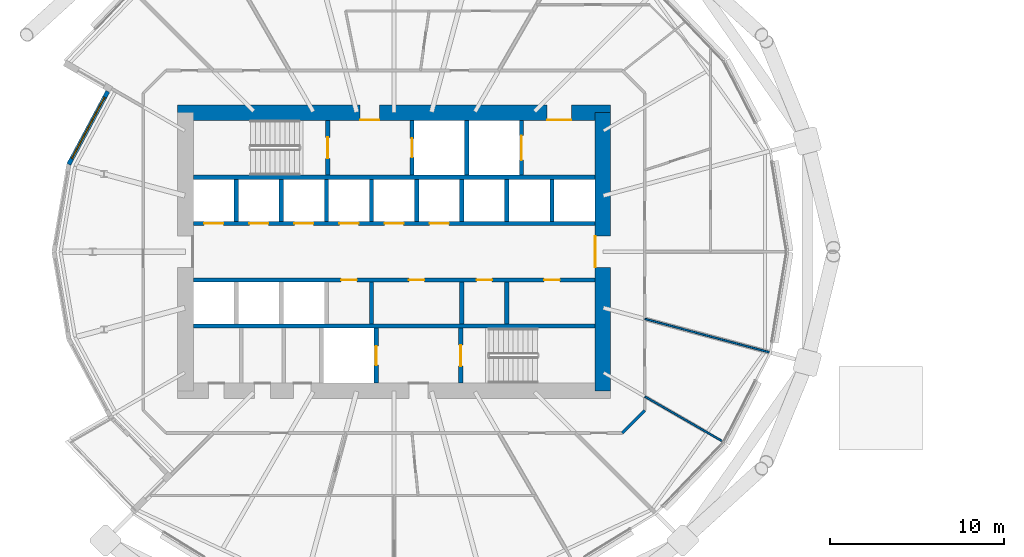
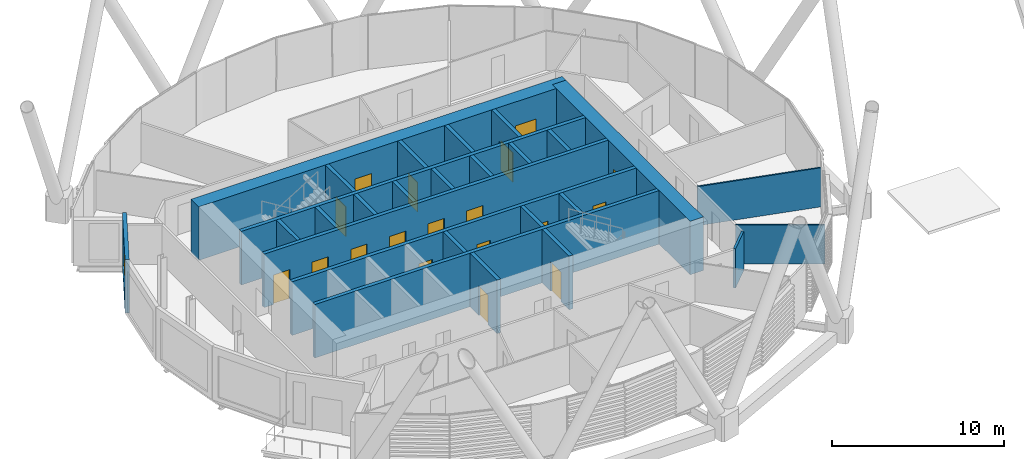
# One storey, part 23 of 34: 27 walls, 18 doors, 1 window, 19 openings.
"""IFC4 building model written with IfcOpenShell, lengths in metres."""

import ifcopenshell
import ifcopenshell.guid

model = None  # the IFC model being written
_history = None  # IfcOwnerHistory: only IFC2X3 demands one
_inside = {}  # id of a spatial element -> (the spatial element, [elements in it])
_under = {}  # id of a project, library or spatial element -> (it, [spatial elements below it])
_declared = {}  # id of a project -> (the project, [libraries it declares])
_typed = {}  # id of a type object -> (the type object, [elements of that type])
_made_of = {}  # id of a material, layer set ... -> (it, [elements and type objects made of it])


def new_model(schema):
    """Start an empty IFC model of exactly this schema.

    Asked for "IFC4X3", IfcOpenShell would pick the latest addendum, in which some entities
    have other attributes; the version numbers below select the first issue.
    IFC2X3 requires an IfcOwnerHistory on every rooted entity: one is made here for all.
    """
    global model, _history
    if schema == "IFC4X3":
        model = ifcopenshell.file(schema_version=(4, 3, 0, 0))
    else:
        model = ifcopenshell.file(schema=schema)
    _inside.clear()
    _under.clear()
    _declared.clear()
    _typed.clear()
    _made_of.clear()
    _history = None
    if model.schema == "IFC2X3":
        org = make("IfcOrganization", Name="unknown")
        user = make(
            "IfcPersonAndOrganization",
            ThePerson=make("IfcPerson", FamilyName="unknown"),
            TheOrganization=org,
        )
        app = make(
            "IfcApplication",
            ApplicationDeveloper=org,
            Version="unknown",
            ApplicationFullName="unknown",
            ApplicationIdentifier="unknown",
        )
        _history = make(
            "IfcOwnerHistory",
            OwningUser=user,
            OwningApplication=app,
            ChangeAction="ADDED",
            CreationDate=0,
        )
    return model


def make(cls, **values):
    """One entity of the class cls with the attributes given. An attribute that is None is left unset."""
    return model.create_entity(
        cls, **{name: value for name, value in values.items() if value is not None}
    )


def rooted(cls, **values):
    """An entity with a GlobalId (a new one), such as an element, a storey or a relation."""
    return make(cls, GlobalId=ifcopenshell.guid.new(), OwnerHistory=_history, **values)


def si_unit(unit_type, name, prefix=None):
    """IfcSIUnit, for example si_unit("LENGTHUNIT", "METRE", prefix="MILLI")."""
    return make("IfcSIUnit", UnitType=unit_type, Prefix=prefix, Name=name)


def assignment(units):
    """IfcUnitAssignment: the units of a project."""
    return None if units is None else make("IfcUnitAssignment", Units=units)


def point(xyz):
    """IfcCartesianPoint."""
    return None if xyz is None else make("IfcCartesianPoint", Coordinates=xyz)


def direction(xyz):
    """IfcDirection."""
    return None if xyz is None else make("IfcDirection", DirectionRatios=xyz)


def frame(location, z_axis=None, x_axis=None):
    """IfcAxis2Placement3D, a coordinate frame: its origin and axes. An axis left out is left unset."""
    return make(
        "IfcAxis2Placement3D",
        Location=point(location),
        Axis=direction(z_axis),
        RefDirection=direction(x_axis),
    )


def frame_2d(location, x_axis=None):
    """IfcAxis2Placement2D, a coordinate frame in the plane: its origin and x axis."""
    return make(
        "IfcAxis2Placement2D", Location=point(location), RefDirection=direction(x_axis)
    )


def origin():
    """The frame at (0, 0, 0) with its axes left unset."""
    return frame((0.0, 0.0, 0.0))


def place(relative_to, where):
    """IfcLocalPlacement: puts the frame where relative to a parent placement (None: the world)."""
    return make(
        "IfcLocalPlacement", PlacementRelTo=relative_to, RelativePlacement=where
    )


def context(
    kind, dimensions, precision=None, world=None, true_north=None, identifier=None
):
    """IfcGeometricRepresentationContext, for example the 3D "Model" context."""
    return make(
        "IfcGeometricRepresentationContext",
        ContextIdentifier=identifier,
        ContextType=kind,
        CoordinateSpaceDimension=dimensions,
        Precision=precision,
        WorldCoordinateSystem=world,
        TrueNorth=true_north,
    )


def subcontext(parent, identifier, kind, view, scale=None):
    """IfcGeometricRepresentationSubContext, for example "Body" below "Model"."""
    return make(
        "IfcGeometricRepresentationSubContext",
        ContextIdentifier=identifier,
        ContextType=kind,
        ParentContext=parent,
        TargetScale=scale,
        TargetView=view,
    )


def project(units=None, contexts=None):
    """IfcProject with its units and contexts."""
    return rooted(
        "IfcProject",
        Name="project",
        RepresentationContexts=contexts,
        UnitsInContext=assignment(units),
    )


def spatial(cls, under=None, at=None, **own):
    """A site, building, storey or space (cls), placed at a placement, below another one or the project."""
    s = rooted(cls, ObjectPlacement=at, **own)
    if under is not None:
        _under.setdefault(under.id(), (under, []))[1].append(s)
    return s


def profile(cls, at=None, kind="AREA", **sizes):
    """A parametric profile (cls). Its sizes go by their IFC names, for example OverallWidth=200.0."""
    return make(cls, ProfileType=kind, Position=at, **sizes)


def rectangle(**sizes):
    """IfcRectangleProfileDef."""
    return profile("IfcRectangleProfileDef", **sizes)


def extrude(swept, where, along, depth):
    """IfcExtrudedAreaSolid: the profile swept, set in the frame where, extruded along a direction by depth."""
    return make(
        "IfcExtrudedAreaSolid",
        SweptArea=swept,
        Position=where,
        ExtrudedDirection=direction(along),
        Depth=depth,
    )


def shape(context_of_items, identifier, shape_type, items):
    """IfcShapeRepresentation: the items that make up one representation, for example the "Body"."""
    return make(
        "IfcShapeRepresentation",
        ContextOfItems=context_of_items,
        RepresentationIdentifier=identifier,
        RepresentationType=shape_type,
        Items=items,
    )


def material(Name=None, Category=None):
    """IfcMaterial."""
    return make("IfcMaterial", Name=Name, Category=Category)


def layer(
    of_material, thickness, ventilated=None, Name=None, Category=None, Priority=None
):
    """IfcMaterialLayer: one layer of a wall or slab, of a material (None: an air gap)."""
    return make(
        "IfcMaterialLayer",
        Material=of_material,
        LayerThickness=thickness,
        IsVentilated=ventilated,
        Name=Name,
        Category=Category,
        Priority=Priority,
    )


def layer_set(layers, Name=None):
    """IfcMaterialLayerSet."""
    return make("IfcMaterialLayerSet", MaterialLayers=layers, LayerSetName=Name)


def made_of(thing, what):
    """Note that an element or type object is made of a material, layer set ...; save() writes the relation."""
    if what is not None:
        _made_of.setdefault(what.id(), (what, []))[1].append(thing)
    return thing


def type_object(cls, material=None, **own):
    """A type object (cls), such as IfcWallType, which elements share."""
    return made_of(rooted(cls, **own), material)


def element(
    cls,
    number,
    at=None,
    inside=None,
    cuts=None,
    type_object=None,
    material=None,
    context=None,
    identifier="Body",
    shape_type=None,
    held_by="IfcProductDefinitionShape",
    body=None,
    shapes=None,
    **own,
):
    """One element of the class cls, such as IfcWall. Its Tag is "e" and its number.

    at: its placement. inside: the storey or other place that contains it. cuts: it is an
    opening in that element (IfcRelVoidsElement). A single representation is given by context,
    identifier, shape_type and body (its items); several are given by shapes. held_by: the class
    of the entity that holds the representations. save() writes the other relations.
    """
    e = rooted(cls, Tag="e%d" % number, ObjectPlacement=at, **own)
    if body is not None:
        shapes = [shape(context, identifier, shape_type, body)]
    if shapes is not None:
        e.Representation = make(held_by, Representations=shapes)
    if inside is not None:
        _inside.setdefault(inside.id(), (inside, []))[1].append(e)
    if cuts is not None:
        rooted(
            "IfcRelVoidsElement", RelatingBuildingElement=cuts, RelatedOpeningElement=e
        )
    if type_object is not None:
        _typed.setdefault(type_object.id(), (type_object, []))[1].append(e)
    return made_of(e, material)


def fill(opening, filler):
    """IfcRelFillsElement: the door or window that sits in an opening."""
    return rooted(
        "IfcRelFillsElement",
        RelatingOpeningElement=opening,
        RelatedBuildingElement=filler,
    )


def aggregate(whole, parts):
    """IfcRelAggregates: a whole, such as a stair, and the parts it consists of."""
    return rooted("IfcRelAggregates", RelatingObject=whole, RelatedObjects=parts)


def save(model, path):
    """Write the relations noted so far, then the file.

    IfcRelAggregates (storeys below a building ...), IfcRelContainedInSpatialStructure (elements
    in a storey), IfcRelDefinesByType, IfcRelAssociatesMaterial and IfcRelDeclares: one each for
    every whole, place, type object, material and project.
    """
    for whole, parts in _under.values():
        aggregate(whole, parts)
    for where, things in _inside.values():
        rooted(
            "IfcRelContainedInSpatialStructure",
            RelatedElements=things,
            RelatingStructure=where,
        )
    for kind, things in _typed.values():
        rooted("IfcRelDefinesByType", RelatedObjects=things, RelatingType=kind)
    for what, things in _made_of.values():
        rooted("IfcRelAssociatesMaterial", RelatedObjects=things, RelatingMaterial=what)
    for by, libraries in _declared.values():
        rooted("IfcRelDeclares", RelatingContext=by, RelatedDefinitions=libraries)
    model.write(path)


model = new_model("IFC4")

# Units and contexts
model_context = context("Model", 3, precision=1e-05, world=origin(), true_north=direction((0.0, 1.0)))
body_context = subcontext(model_context, "Body", "Model", "MODEL_VIEW")
ifc_project = project(units=[si_unit("LENGTHUNIT", "METRE"), si_unit("AREAUNIT", "SQUARE_METRE"), si_unit("VOLUMEUNIT", "CUBIC_METRE"), si_unit("PLANEANGLEUNIT", "RADIAN"), si_unit("MASSUNIT", "GRAM", prefix="KILO")], contexts=[model_context])

# Site, building, storey
site_placement = place(None, origin())
site = spatial("IfcSite", under=ifc_project, at=site_placement, CompositionType="ELEMENT")
building_placement = place(site_placement, origin())
building = spatial("IfcBuilding", under=site, at=building_placement, Name="Rimbun Link Towers", CompositionType="ELEMENT")
storey_placement = place(building_placement, frame((0.0, 0.0, 41.39990234375)))
storey = spatial("IfcBuildingStorey", under=building, at=storey_placement, Name="L09", CompositionType="ELEMENT", Elevation=41.39990234375)

# Wall, opening, window
ifc_material_1 = material(Name="Dark enamelled glass spandrel on insulated aluminium backpan", Category="aluminium")
ifc_layer_1 = layer(ifc_material_1, 0.25)
ifc_layer_set_1 = layer_set([ifc_layer_1], Name="CS dark enamelled spandrel wall 250")
wall_type_1 = type_object("IfcWallType", Name="CS dark enamelled spandrel wall 250", PredefinedType="STANDARD", material=ifc_layer_set_1)
wall_1_placement = place(storey_placement, frame((-50.4658203125, 5.023681640625, 0.0), z_axis=(0.0, 0.0, 1.0), x_axis=(0.471684712183, 0.881767277853, 0.0)))
wall_1 = element("IfcWall", 1, at=wall_1_placement, inside=storey, type_object=wall_type_1, Name="Crease spandrel wall", PredefinedType="STANDARD", context=body_context, shape_type="SweptSolid", body=[
    extrude(rectangle(XDim=4.759765625, YDim=0.25, at=frame_2d((2.3798828125, 0.0))), origin(), (0.0, 0.0, 1.0), 3.800048828125),
])
opening_1_placement = place(wall_1_placement, frame((0.3798828125, 0.0, 0.300048828125)))
opening_1 = element("IfcOpeningElement", 2, at=opening_1_placement, cuts=wall_1, Name="Opening WR40H295", PredefinedType="OPENING", context=body_context, shape_type="SweptSolid", body=[
    extrude(rectangle(XDim=4.0, YDim=2.949951171875, at=frame_2d((2.0, 1.47509765625))), frame((0.0, 0.135009765625, 0.0), z_axis=(0.0, -1.0, 0.0), x_axis=(1.0, 0.0, 0.0)), (0.0, 0.0, 1.0), 0.27001953125),
])
ifc_material_2 = material(Name="Aluminium framed fixed window, dark tinted low-e glass", Category="aluminium")
window_type = type_object("IfcWindowType", Name="WR ribbon window 4000X2950", PartitioningType="SINGLE_PANEL", PredefinedType="WINDOW", material=ifc_material_2)
window_placement = place(opening_1_placement, origin())
window = element("IfcWindow", 3, at=window_placement, inside=storey, type_object=window_type, Name="Crease ribbon window", OverallHeight=2.949951171875, OverallWidth=4.0, PartitioningType="SINGLE_PANEL", PredefinedType="WINDOW", context=body_context, shape_type="SweptSolid", body=[
    extrude(rectangle(XDim=4.0, YDim=2.949951171875, at=frame_2d((2.0, 1.47509765625))), frame((0.0, 0.030029296875, 0.0), z_axis=(0.0, -1.0, 0.0), x_axis=(1.0, 0.0, 0.0)), (0.0, 0.0, 1.0), 0.06005859375),
])
fill(opening_1, window)

# Wall, openings, doors
ifc_material_3 = material(Name="Concrete C60/75", Category="concrete")
ifc_layer_2 = layer(ifc_material_3, 0.89990234375)
ifc_layer_set_2 = layer_set([ifc_layer_2], Name="Core shear wall 900")
wall_type_2 = type_object("IfcWallType", Name="Core shear wall 900", PredefinedType="SHEAR", material=ifc_layer_set_2)
wall_2_placement = place(storey_placement, frame((-44.199951171875, 8.0, 0.0), z_axis=(0.0, 0.0, 1.0), x_axis=(1.0, 0.0, 0.0)))
wall_2 = element("IfcWall", 4, at=wall_2_placement, inside=storey, type_object=wall_type_2, Name="L09 T1 core wall N", PredefinedType="SHEAR", context=body_context, shape_type="SweptSolid", body=[
    extrude(rectangle(XDim=24.89990234375, YDim=0.89990234375, at=frame_2d((12.449951171875, 0.0))), origin(), (0.0, 0.0, 1.0), 3.800048828125),
])
opening_2_placement = place(wall_2_placement, frame((10.5, 0.0, 0.0)))
opening_2 = element("IfcOpeningElement", 5, at=opening_2_placement, cuts=wall_2, Name="Opening C1DCF01N", PredefinedType="OPENING", context=body_context, shape_type="SweptSolid", body=[
    extrude(rectangle(XDim=1.10009765625, YDim=2.10009765625, at=frame_2d((0.550048828125, 1.050048828125))), frame((0.0, 0.4599609375, 0.0), z_axis=(0.0, -1.0, 0.0), x_axis=(1.0, 0.0, 0.0)), (0.0, 0.0, 1.0), 0.919921875),
])
opening_3_placement = place(wall_2_placement, frame((21.25, 0.0, 0.0)))
opening_3 = element("IfcOpeningElement", 6, at=opening_3_placement, cuts=wall_2, Name="Opening C1DSL02N", PredefinedType="OPENING", context=body_context, shape_type="SweptSolid", body=[
    extrude(rectangle(XDim=1.39990234375, YDim=2.10009765625, at=frame_2d((0.699951171875, 1.050048828125))), frame((0.0, 0.4599609375, 0.0), z_axis=(0.0, -1.0, 0.0), x_axis=(1.0, 0.0, 0.0)), (0.0, 0.0, 1.0), 0.919921875),
])
ifc_material_4 = material(Name="Steel fire door set", Category="steel")
door_type_1 = type_object("IfcDoorType", Name="Core fire door single", OperationType="SINGLE_SWING_LEFT", PredefinedType="DOOR", material=ifc_material_4)
door_1_placement = place(opening_2_placement, origin())
door_1 = element("IfcDoor", 7, at=door_1_placement, inside=storey, type_object=door_type_1, Name="L09 T1 firefighting lobby n door", OperationType="SINGLE_SWING_LEFT", OverallHeight=2.10009765625, OverallWidth=1.10009765625, PredefinedType="DOOR", context=body_context, shape_type="SweptSolid", body=[
    extrude(rectangle(XDim=1.10009765625, YDim=2.10009765625, at=frame_2d((0.550048828125, 1.050048828125))), frame((0.0, -0.39990234375, 0.0), z_axis=(0.0, -1.0, 0.0), x_axis=(1.0, 0.0, 0.0)), (0.0, 0.0, 1.0), 0.050048828125),
])
fill(opening_2, door_1)
ifc_material_5 = material(Name="Steel fire door set", Category="steel")
door_type_2 = type_object("IfcDoorType", Name="Service lobby door double", OperationType="DOUBLE_DOOR_SINGLE_SWING", PredefinedType="DOOR", material=ifc_material_5)
door_2_placement = place(opening_3_placement, origin())
door_2 = element("IfcDoor", 8, at=door_2_placement, inside=storey, type_object=door_type_2, Name="L09 T1 service lobby door", OperationType="DOUBLE_DOOR_SINGLE_SWING", OverallHeight=2.10009765625, OverallWidth=1.39990234375, PredefinedType="DOOR", context=body_context, shape_type="SweptSolid", body=[
    extrude(rectangle(XDim=1.39990234375, YDim=2.10009765625, at=frame_2d((0.699951171875, 1.050048828125))), frame((0.0, -0.39990234375, 0.0), z_axis=(0.0, -1.0, 0.0), x_axis=(1.0, 0.0, 0.0)), (0.0, 0.0, 1.0), 0.050048828125),
])
fill(opening_3, door_2)

# Wall, opening, door
wall_3_placement = place(storey_placement, frame((-19.75, -8.0, 0.0), z_axis=(0.0, 0.0, 1.0), x_axis=(0.0, 1.0, 0.0)))
wall_3 = element("IfcWall", 9, at=wall_3_placement, inside=storey, type_object=wall_type_2, Name="L09 T1 core wall E", PredefinedType="SHEAR", context=body_context, shape_type="SweptSolid", body=[
    extrude(rectangle(XDim=16.0, YDim=0.89990234375, at=frame_2d((8.0, 0.0))), origin(), (0.0, 0.0, 1.0), 3.800048828125),
])
opening_4_placement = place(wall_3_placement, frame((7.10009765625, 0.0, 0.0)))
opening_4 = element("IfcOpeningElement", 10, at=opening_4_placement, cuts=wall_3, Name="Opening C1DCL01E", PredefinedType="OPENING", context=body_context, shape_type="SweptSolid", body=[
    extrude(rectangle(XDim=1.800048828125, YDim=2.10009765625, at=frame_2d((0.89990234375, 1.050048828125))), frame((0.0, 0.4599609375, 0.0), z_axis=(0.0, -1.0, 0.0), x_axis=(1.0, 0.0, 0.0)), (0.0, 0.0, 1.0), 0.919921875),
])
ifc_material_6 = material(Name="Steel fire door set", Category="steel")
door_type_3 = type_object("IfcDoorType", Name="Core lobby door double", OperationType="DOUBLE_DOOR_SINGLE_SWING", PredefinedType="DOOR", material=ifc_material_6)
door_3_placement = place(opening_4_placement, origin())
door_3 = element("IfcDoor", 11, at=door_3_placement, inside=storey, type_object=door_type_3, Name="L09 T1 lift lobby door", OperationType="DOUBLE_DOOR_SINGLE_SWING", OverallHeight=2.10009765625, OverallWidth=1.800048828125, PredefinedType="DOOR", context=body_context, shape_type="SweptSolid", body=[
    extrude(rectangle(XDim=1.800048828125, YDim=2.10009765625, at=frame_2d((0.89990234375, 1.050048828125))), frame((0.0, 0.4501953125, 0.0), z_axis=(0.0, -1.0, 0.0), x_axis=(1.0, 0.0, 0.0)), (0.0, 0.0, 1.0), 0.050048828125),
])
fill(opening_4, door_3)

# Walls
ifc_material_7 = material(Name="Plasterboard on steel stud, mineral wool", Category="steel")
ifc_layer_3 = layer(ifc_material_7, 0.14990234375)
ifc_layer_set_3 = layer_set([ifc_layer_3], Name="Corridor wall EI 30 150 mm")
wall_type_3 = type_object("IfcWallType", Name="Corridor wall EI 30 150 mm", PredefinedType="PARTITIONING", material=ifc_layer_set_3)
wall_4_placement = place(storey_placement, frame((-18.623291015625, -10.425048828125, 0.0), z_axis=(0.0, 0.0, 1.0), x_axis=(0.707106781187, 0.707106781187, 0.0)))
element("IfcWall", 12, at=wall_4_placement, inside=storey, type_object=wall_type_3, Name="Corridor wall EI 30 150 mm", PredefinedType="PARTITIONING", context=body_context, shape_type="SweptSolid", body=[
    extrude(rectangle(XDim=1.836181640625, YDim=0.14990234375, at=frame_2d((0.91796875, 0.0))), origin(), (0.0, 0.0, 1.0), 2.779052734375),
])
ifc_material_8 = material(Name="Plasterboard on steel stud", Category="steel")
ifc_layer_4 = layer(ifc_material_8, 0.10009765625)
ifc_layer_set_4 = layer_set([ifc_layer_4], Name="Plasterboard partition 100 mm")
wall_type_4 = type_object("IfcWallType", Name="Plasterboard partition 100 mm", PredefinedType="PARTITIONING", material=ifc_layer_set_4)
wall_5_placement = place(storey_placement, frame((-12.82080078125, -10.9287109375, 0.0), z_axis=(0.0, 0.0, 1.0), x_axis=(-0.866036280653, 0.499981160238, 0.0)))
element("IfcWall", 13, at=wall_5_placement, inside=storey, type_object=wall_type_4, Name="Plasterboard partition 100 mm", PredefinedType="PARTITIONING", context=body_context, shape_type="SweptSolid", body=[
    extrude(rectangle(XDim=5.200927734375, YDim=0.10009765625, at=frame_2d((2.6005859375, 0.0))), origin(), (0.0, 0.0, 1.0), 2.779052734375),
])
wall_6_placement = place(storey_placement, frame((-10.159423828125, -5.78515625, 0.0), z_axis=(0.0, 0.0, 1.0), x_axis=(-0.965928366929, 0.258809563119, 0.0)))
element("IfcWall", 14, at=wall_6_placement, inside=storey, type_object=wall_type_4, Name="Plasterboard partition 100 mm", PredefinedType="PARTITIONING", context=body_context, shape_type="SweptSolid", body=[
    extrude(rectangle(XDim=7.418212890625, YDim=0.10009765625, at=frame_2d((3.708984375, 0.0))), origin(), (0.0, 0.0, 1.0), 2.779052734375),
])
ifc_material_9 = material(Name="Concrete C60/75", Category="concrete")
ifc_layer_5 = layer(ifc_material_9, 0.25)
ifc_layer_set_5 = layer_set([ifc_layer_5], Name="Shaft wall 250")
wall_type_5 = type_object("IfcWallType", Name="Shaft wall 250", PredefinedType="SHEAR", material=ifc_layer_set_5)
for number, where, z_axis, x_axis, name in (
    (15, (-43.300048828125, 4.27490234375, 0.0), (0.0, 0.0, 1.0), (1.0, 0.0, 0.0), "L09 T1 core wall BN"),
    (16, (-43.300048828125, -4.27490234375, 0.0), (0.0, 0.0, 1.0), (1.0, 0.0, 0.0), "L09 T1 core wall BS"),
):
    element("IfcWall", number, at=place(storey_placement, frame(where, z_axis=z_axis, x_axis=x_axis)), inside=storey, type_object=wall_type_5, Name=name, PredefinedType="SHEAR", context=body_context, shape_type="SweptSolid", body=[
        extrude(rectangle(XDim=23.10009765625, YDim=0.25, at=frame_2d((11.550048828125, 0.0))), origin(), (0.0, 0.0, 1.0), 3.800048828125),
    ])

# Wall, openings, doors
wall_7_placement = place(storey_placement, frame((-43.300048828125, 1.625, 0.0), z_axis=(0.0, 0.0, 1.0), x_axis=(1.0, 0.0, 0.0)))
wall_7 = element("IfcWall", 17, at=wall_7_placement, inside=storey, type_object=wall_type_5, Name="L09 T1 core wall FN", PredefinedType="SHEAR", context=body_context, shape_type="SweptSolid", body=[
    extrude(rectangle(XDim=23.10009765625, YDim=0.25, at=frame_2d((11.550048828125, 0.0))), origin(), (0.0, 0.0, 1.0), 3.800048828125),
])
opening_5_placement = place(wall_7_placement, frame((0.622314453125, 0.0, 0.0)))
opening_5 = element("IfcOpeningElement", 18, at=opening_5_placement, cuts=wall_7, Name="Opening LD-T1-LR1", PredefinedType="OPENING", context=body_context, shape_type="SweptSolid", body=[
    extrude(rectangle(XDim=1.10009765625, YDim=2.10009765625, at=frame_2d((0.550048828125, 1.050048828125))), frame((0.0, 0.135009765625, 0.0), z_axis=(0.0, -1.0, 0.0), x_axis=(1.0, 0.0, 0.0)), (0.0, 0.0, 1.0), 0.27001953125),
])
opening_6_placement = place(wall_7_placement, frame((3.216796875, 0.0, 0.0)))
opening_6 = element("IfcOpeningElement", 19, at=opening_6_placement, cuts=wall_7, Name="Opening LD-T1-LR2", PredefinedType="OPENING", context=body_context, shape_type="SweptSolid", body=[
    extrude(rectangle(XDim=1.10009765625, YDim=2.10009765625, at=frame_2d((0.550048828125, 1.050048828125))), frame((0.0, 0.135009765625, 0.0), z_axis=(0.0, -1.0, 0.0), x_axis=(1.0, 0.0, 0.0)), (0.0, 0.0, 1.0), 0.27001953125),
])
opening_7_placement = place(wall_7_placement, frame((5.81103515625, 0.0, 0.0)))
opening_7 = element("IfcOpeningElement", 20, at=opening_7_placement, cuts=wall_7, Name="Opening LD-T1-LR3", PredefinedType="OPENING", context=body_context, shape_type="SweptSolid", body=[
    extrude(rectangle(XDim=1.10009765625, YDim=2.10009765625, at=frame_2d((0.550048828125, 1.050048828125))), frame((0.0, 0.135009765625, 0.0), z_axis=(0.0, -1.0, 0.0), x_axis=(1.0, 0.0, 0.0)), (0.0, 0.0, 1.0), 0.27001953125),
])
opening_8_placement = place(wall_7_placement, frame((8.405517578125, 0.0, 0.0)))
opening_8 = element("IfcOpeningElement", 21, at=opening_8_placement, cuts=wall_7, Name="Opening LD-T1-LR4", PredefinedType="OPENING", context=body_context, shape_type="SweptSolid", body=[
    extrude(rectangle(XDim=1.10009765625, YDim=2.10009765625, at=frame_2d((0.550048828125, 1.050048828125))), frame((0.0, 0.135009765625, 0.0), z_axis=(0.0, -1.0, 0.0), x_axis=(1.0, 0.0, 0.0)), (0.0, 0.0, 1.0), 0.27001953125),
])
opening_9_placement = place(wall_7_placement, frame((11.0, 0.0, 0.0)))
opening_9 = element("IfcOpeningElement", 22, at=opening_9_placement, cuts=wall_7, Name="Opening LD-T1-LR5", PredefinedType="OPENING", context=body_context, shape_type="SweptSolid", body=[
    extrude(rectangle(XDim=1.10009765625, YDim=2.10009765625, at=frame_2d((0.550048828125, 1.050048828125))), frame((0.0, 0.135009765625, 0.0), z_axis=(0.0, -1.0, 0.0), x_axis=(1.0, 0.0, 0.0)), (0.0, 0.0, 1.0), 0.27001953125),
])
opening_10_placement = place(wall_7_placement, frame((13.594482421875, 0.0, 0.0)))
opening_10 = element("IfcOpeningElement", 23, at=opening_10_placement, cuts=wall_7, Name="Opening LD-T1-LR6", PredefinedType="OPENING", context=body_context, shape_type="SweptSolid", body=[
    extrude(rectangle(XDim=1.10009765625, YDim=2.10009765625, at=frame_2d((0.550048828125, 1.050048828125))), frame((0.0, 0.135009765625, 0.0), z_axis=(0.0, -1.0, 0.0), x_axis=(1.0, 0.0, 0.0)), (0.0, 0.0, 1.0), 0.27001953125),
])
ifc_material_10 = material(Name="Stainless steel grade 316", Category="steel")
door_type_4 = type_object("IfcDoorType", Name="Lift landing door", OperationType="DOUBLE_DOOR_SLIDING", PredefinedType="DOOR", material=ifc_material_10)
door_4_placement = place(opening_5_placement, origin())
door_4 = element("IfcDoor", 24, at=door_4_placement, inside=storey, type_object=door_type_4, Name="L09 T1 lift LR1 landing door", OperationType="DOUBLE_DOOR_SLIDING", OverallHeight=2.10009765625, OverallWidth=1.10009765625, PredefinedType="DOOR", context=body_context, shape_type="SweptSolid", body=[
    extrude(rectangle(XDim=1.10009765625, YDim=2.10009765625, at=frame_2d((0.550048828125, 1.050048828125))), frame((0.0, 0.02490234375, 0.0), z_axis=(0.0, -1.0, 0.0), x_axis=(1.0, 0.0, 0.0)), (0.0, 0.0, 1.0), 0.050048828125),
])
fill(opening_5, door_4)
door_5_placement = place(opening_6_placement, origin())
door_5 = element("IfcDoor", 25, at=door_5_placement, inside=storey, type_object=door_type_4, Name="L09 T1 lift LR2 landing door", OperationType="DOUBLE_DOOR_SLIDING", OverallHeight=2.10009765625, OverallWidth=1.10009765625, PredefinedType="DOOR", context=body_context, shape_type="SweptSolid", body=[
    extrude(rectangle(XDim=1.10009765625, YDim=2.10009765625, at=frame_2d((0.550048828125, 1.050048828125))), frame((0.0, 0.02490234375, 0.0), z_axis=(0.0, -1.0, 0.0), x_axis=(1.0, 0.0, 0.0)), (0.0, 0.0, 1.0), 0.050048828125),
])
fill(opening_6, door_5)
door_6_placement = place(opening_7_placement, origin())
door_6 = element("IfcDoor", 26, at=door_6_placement, inside=storey, type_object=door_type_4, Name="L09 T1 lift LR3 landing door", OperationType="DOUBLE_DOOR_SLIDING", OverallHeight=2.10009765625, OverallWidth=1.10009765625, PredefinedType="DOOR", context=body_context, shape_type="SweptSolid", body=[
    extrude(rectangle(XDim=1.10009765625, YDim=2.10009765625, at=frame_2d((0.550048828125, 1.050048828125))), frame((0.0, 0.02490234375, 0.0), z_axis=(0.0, -1.0, 0.0), x_axis=(1.0, 0.0, 0.0)), (0.0, 0.0, 1.0), 0.050048828125),
])
fill(opening_7, door_6)
door_7_placement = place(opening_8_placement, origin())
door_7 = element("IfcDoor", 27, at=door_7_placement, inside=storey, type_object=door_type_4, Name="L09 T1 lift LR4 landing door", OperationType="DOUBLE_DOOR_SLIDING", OverallHeight=2.10009765625, OverallWidth=1.10009765625, PredefinedType="DOOR", context=body_context, shape_type="SweptSolid", body=[
    extrude(rectangle(XDim=1.10009765625, YDim=2.10009765625, at=frame_2d((0.550048828125, 1.050048828125))), frame((0.0, 0.02490234375, 0.0), z_axis=(0.0, -1.0, 0.0), x_axis=(1.0, 0.0, 0.0)), (0.0, 0.0, 1.0), 0.050048828125),
])
fill(opening_8, door_7)
door_8_placement = place(opening_9_placement, origin())
door_8 = element("IfcDoor", 28, at=door_8_placement, inside=storey, type_object=door_type_4, Name="L09 T1 lift LR5 landing door", OperationType="DOUBLE_DOOR_SLIDING", OverallHeight=2.10009765625, OverallWidth=1.10009765625, PredefinedType="DOOR", context=body_context, shape_type="SweptSolid", body=[
    extrude(rectangle(XDim=1.10009765625, YDim=2.10009765625, at=frame_2d((0.550048828125, 1.050048828125))), frame((0.0, 0.02490234375, 0.0), z_axis=(0.0, -1.0, 0.0), x_axis=(1.0, 0.0, 0.0)), (0.0, 0.0, 1.0), 0.050048828125),
])
fill(opening_9, door_8)
door_9_placement = place(opening_10_placement, origin())
door_9 = element("IfcDoor", 29, at=door_9_placement, inside=storey, type_object=door_type_4, Name="L09 T1 lift LR6 landing door", OperationType="DOUBLE_DOOR_SLIDING", OverallHeight=2.10009765625, OverallWidth=1.10009765625, PredefinedType="DOOR", context=body_context, shape_type="SweptSolid", body=[
    extrude(rectangle(XDim=1.10009765625, YDim=2.10009765625, at=frame_2d((0.550048828125, 1.050048828125))), frame((0.0, 0.02490234375, 0.0), z_axis=(0.0, -1.0, 0.0), x_axis=(1.0, 0.0, 0.0)), (0.0, 0.0, 1.0), 0.050048828125),
])
fill(opening_10, door_9)

wall_8_placement = place(storey_placement, frame((-43.300048828125, -1.625, 0.0), z_axis=(0.0, 0.0, 1.0), x_axis=(1.0, 0.0, 0.0)))
wall_8 = element("IfcWall", 30, at=wall_8_placement, inside=storey, type_object=wall_type_5, Name="L09 T1 core wall FS", PredefinedType="SHEAR", context=body_context, shape_type="SweptSolid", body=[
    extrude(rectangle(XDim=23.10009765625, YDim=0.25, at=frame_2d((11.550048828125, 0.0))), origin(), (0.0, 0.0, 1.0), 3.800048828125),
])
opening_11_placement = place(wall_8_placement, frame((8.505615234375, 0.0, 0.0)))
opening_11 = element("IfcOpeningElement", 31, at=opening_11_placement, cuts=wall_8, Name="Opening C1DRS01FS", PredefinedType="OPENING", context=body_context, shape_type="SweptSolid", body=[
    extrude(rectangle(XDim=0.89990234375, YDim=2.10009765625, at=frame_2d((0.449951171875, 1.050048828125))), frame((0.0, 0.135009765625, 0.0), z_axis=(0.0, -1.0, 0.0), x_axis=(1.0, 0.0, 0.0)), (0.0, 0.0, 1.0), 0.27001953125),
])
opening_12_placement = place(wall_8_placement, frame((12.397216796875, 0.0, 0.0)))
opening_12 = element("IfcOpeningElement", 32, at=opening_12_placement, cuts=wall_8, Name="Opening C1DRS02FS", PredefinedType="OPENING", context=body_context, shape_type="SweptSolid", body=[
    extrude(rectangle(XDim=0.89990234375, YDim=2.10009765625, at=frame_2d((0.449951171875, 1.050048828125))), frame((0.0, 0.135009765625, 0.0), z_axis=(0.0, -1.0, 0.0), x_axis=(1.0, 0.0, 0.0)), (0.0, 0.0, 1.0), 0.27001953125),
])
opening_13_placement = place(wall_8_placement, frame((16.288818359375, 0.0, 0.0)))
opening_13 = element("IfcOpeningElement", 33, at=opening_13_placement, cuts=wall_8, Name="Opening C1DRS03FS", PredefinedType="OPENING", context=body_context, shape_type="SweptSolid", body=[
    extrude(rectangle(XDim=0.89990234375, YDim=2.10009765625, at=frame_2d((0.449951171875, 1.050048828125))), frame((0.0, 0.135009765625, 0.0), z_axis=(0.0, -1.0, 0.0), x_axis=(1.0, 0.0, 0.0)), (0.0, 0.0, 1.0), 0.27001953125),
])
opening_14_placement = place(wall_8_placement, frame((20.1806640625, 0.0, 0.0)))
opening_14 = element("IfcOpeningElement", 34, at=opening_14_placement, cuts=wall_8, Name="Opening C1DRS04FS", PredefinedType="OPENING", context=body_context, shape_type="SweptSolid", body=[
    extrude(rectangle(XDim=0.89990234375, YDim=2.10009765625, at=frame_2d((0.449951171875, 1.050048828125))), frame((0.0, 0.135009765625, 0.0), z_axis=(0.0, -1.0, 0.0), x_axis=(1.0, 0.0, 0.0)), (0.0, 0.0, 1.0), 0.27001953125),
])
ifc_material_11 = material(Name="Steel fire door set", Category="steel")
door_type_5 = type_object("IfcDoorType", Name="Core riser door", OperationType="SINGLE_SWING_LEFT", PredefinedType="DOOR", material=ifc_material_11)
door_10_placement = place(opening_11_placement, origin())
door_10 = element("IfcDoor", 35, at=door_10_placement, inside=storey, type_object=door_type_5, Name="L09 T1 cleaner store door", OperationType="SINGLE_SWING_RIGHT", OverallHeight=2.10009765625, OverallWidth=0.89990234375, PredefinedType="DOOR", context=body_context, shape_type="SweptSolid", body=[
    extrude(rectangle(XDim=0.89990234375, YDim=2.10009765625, at=frame_2d((0.449951171875, 1.050048828125))), frame((0.0, 0.02490234375, 0.0), z_axis=(0.0, -1.0, 0.0), x_axis=(1.0, 0.0, 0.0)), (0.0, 0.0, 1.0), 0.050048828125),
])
fill(opening_11, door_10)
door_11_placement = place(opening_12_placement, origin())
door_11 = element("IfcDoor", 36, at=door_11_placement, inside=storey, type_object=door_type_5, Name="L09 T1 staff lounge door", OperationType="SINGLE_SWING_LEFT", OverallHeight=2.10009765625, OverallWidth=0.89990234375, PredefinedType="DOOR", context=body_context, shape_type="SweptSolid", body=[
    extrude(rectangle(XDim=0.89990234375, YDim=2.10009765625, at=frame_2d((0.449951171875, 1.050048828125))), frame((0.0, 0.02490234375, 0.0), z_axis=(0.0, -1.0, 0.0), x_axis=(1.0, 0.0, 0.0)), (0.0, 0.0, 1.0), 0.050048828125),
])
fill(opening_12, door_11)
door_12_placement = place(opening_13_placement, origin())
door_12 = element("IfcDoor", 37, at=door_12_placement, inside=storey, type_object=door_type_5, Name="L09 T1 stationery store door", OperationType="SINGLE_SWING_LEFT", OverallHeight=2.10009765625, OverallWidth=0.89990234375, PredefinedType="DOOR", context=body_context, shape_type="SweptSolid", body=[
    extrude(rectangle(XDim=0.89990234375, YDim=2.10009765625, at=frame_2d((0.449951171875, 1.050048828125))), frame((0.0, 0.02490234375, 0.0), z_axis=(0.0, -1.0, 0.0), x_axis=(1.0, 0.0, 0.0)), (0.0, 0.0, 1.0), 0.050048828125),
])
fill(opening_13, door_12)
door_13_placement = place(opening_14_placement, origin())
door_13 = element("IfcDoor", 38, at=door_13_placement, inside=storey, type_object=door_type_5, Name="L09 T1 server room door", OperationType="SINGLE_SWING_LEFT", OverallHeight=2.10009765625, OverallWidth=0.89990234375, PredefinedType="DOOR", context=body_context, shape_type="SweptSolid", body=[
    extrude(rectangle(XDim=0.89990234375, YDim=2.10009765625, at=frame_2d((0.449951171875, 1.050048828125))), frame((0.0, 0.02490234375, 0.0), z_axis=(0.0, -1.0, 0.0), x_axis=(1.0, 0.0, 0.0)), (0.0, 0.0, 1.0), 0.050048828125),
])
fill(opening_14, door_13)

# Walls
for number, where, z_axis, x_axis, name in (
    (39, (-40.83056640625, 1.75, 0.0), (0.0, 0.0, 1.0), (0.0, 1.0, 0.0), "L09 T1 core wall DN0"),
    (40, (-38.236083984375, 1.75, 0.0), (0.0, 0.0, 1.0), (0.0, 1.0, 0.0), "L09 T1 core wall DN1"),
    (41, (-35.6416015625, 1.75, 0.0), (0.0, 0.0, 1.0), (0.0, 1.0, 0.0), "L09 T1 core wall DN2"),
    (42, (-33.047119140625, 1.75, 0.0), (0.0, 0.0, 1.0), (0.0, 1.0, 0.0), "L09 T1 core wall DN3"),
    (43, (-30.452880859375, 1.75, 0.0), (0.0, 0.0, 1.0), (0.0, 1.0, 0.0), "L09 T1 core wall DN4"),
    (44, (-27.8583984375, 1.75, 0.0), (0.0, 0.0, 1.0), (0.0, 1.0, 0.0), "L09 T1 core wall DN5"),
    (45, (-25.263916015625, 1.75, 0.0), (0.0, 0.0, 1.0), (0.0, 1.0, 0.0), "L09 T1 core wall DN6"),
    (46, (-22.66943359375, 1.75, 0.0), (0.0, 0.0, 1.0), (0.0, 1.0, 0.0), "L09 T1 core wall DN7"),
    (47, (-33.047119140625, -4.14990234375, 0.0), (0.0, 0.0, 1.0), (0.0, 1.0, 0.0), "L09 T1 core wall DS3"),
    (48, (-27.8583984375, -4.14990234375, 0.0), (0.0, 0.0, 1.0), (0.0, 1.0, 0.0), "L09 T1 core wall DS5"),
    (49, (-25.263916015625, -4.14990234375, 0.0), (0.0, 0.0, 1.0), (0.0, 1.0, 0.0), "L09 T1 core wall DS6"),
):
    element("IfcWall", number, at=place(storey_placement, frame(where, z_axis=z_axis, x_axis=x_axis)), inside=storey, type_object=wall_type_5, Name=name, PredefinedType="SHEAR", context=body_context, shape_type="SweptSolid", body=[
        extrude(rectangle(XDim=2.39990234375, YDim=0.25, at=frame_2d((1.199951171875, 0.0))), origin(), (0.0, 0.0, 1.0), 3.800048828125),
    ])

# Wall, opening, door
wall_9_placement = place(storey_placement, frame((-35.574951171875, 4.39990234375, 0.0), z_axis=(0.0, 0.0, 1.0), x_axis=(0.0, 1.0, 0.0)))
wall_9 = element("IfcWall", 50, at=wall_9_placement, inside=storey, type_object=wall_type_5, Name="L09 T1 core wall A1", PredefinedType="SHEAR", context=body_context, shape_type="SweptSolid", body=[
    extrude(rectangle(XDim=3.150146484375, YDim=0.25, at=frame_2d((1.5751953125, 0.0))), origin(), (0.0, 0.0, 1.0), 3.800048828125),
])
opening_15_placement = place(wall_9_placement, frame((0.97509765625, 0.0, 0.0)))
opening_15 = element("IfcOpeningElement", 51, at=opening_15_placement, cuts=wall_9, Name="Opening C1DST01A1", PredefinedType="OPENING", context=body_context, shape_type="SweptSolid", body=[
    extrude(rectangle(XDim=1.199951171875, YDim=2.10009765625, at=frame_2d((0.60009765625, 1.050048828125))), frame((0.0, 0.135009765625, 0.0), z_axis=(0.0, -1.0, 0.0), x_axis=(1.0, 0.0, 0.0)), (0.0, 0.0, 1.0), 0.27001953125),
])
ifc_material_12 = material(Name="Steel fire door set", Category="steel")
door_type_6 = type_object("IfcDoorType", Name="Stair door", OperationType="SINGLE_SWING_LEFT", PredefinedType="DOOR", material=ifc_material_12)
door_14_placement = place(opening_15_placement, origin())
door_14 = element("IfcDoor", 52, at=door_14_placement, inside=storey, type_object=door_type_6, Name="L09 T1 stair a door", OperationType="SINGLE_SWING_RIGHT", OverallHeight=2.10009765625, OverallWidth=1.199951171875, PredefinedType="DOOR", context=body_context, shape_type="SweptSolid", body=[
    extrude(rectangle(XDim=1.199951171875, YDim=2.10009765625, at=frame_2d((0.60009765625, 1.050048828125))), frame((0.0, 0.02490234375, 0.0), z_axis=(0.0, -1.0, 0.0), x_axis=(1.0, 0.0, 0.0)), (0.0, 0.0, 1.0), 0.050048828125),
])
fill(opening_15, door_14)

wall_10_placement = place(storey_placement, frame((-30.72509765625, 4.39990234375, 0.0), z_axis=(0.0, 0.0, 1.0), x_axis=(0.0, 1.0, 0.0)))
wall_10 = element("IfcWall", 53, at=wall_10_placement, inside=storey, type_object=wall_type_5, Name="L09 T1 core wall A2", PredefinedType="SHEAR", context=body_context, shape_type="SweptSolid", body=[
    extrude(rectangle(XDim=3.150146484375, YDim=0.25, at=frame_2d((1.5751953125, 0.0))), origin(), (0.0, 0.0, 1.0), 3.800048828125),
])
opening_16_placement = place(wall_10_placement, frame((1.02490234375, 0.0, 0.0)))
opening_16 = element("IfcOpeningElement", 54, at=opening_16_placement, cuts=wall_10, Name="Opening LD-T1-FF1", PredefinedType="OPENING", context=body_context, shape_type="SweptSolid", body=[
    extrude(rectangle(XDim=1.10009765625, YDim=2.10009765625, at=frame_2d((0.550048828125, 1.050048828125))), frame((0.0, 0.135009765625, 0.0), z_axis=(0.0, -1.0, 0.0), x_axis=(1.0, 0.0, 0.0)), (0.0, 0.0, 1.0), 0.27001953125),
])
door_15_placement = place(opening_16_placement, origin())
door_15 = element("IfcDoor", 55, at=door_15_placement, inside=storey, type_object=door_type_4, Name="L09 T1 lift FF1 landing door", OperationType="DOUBLE_DOOR_SLIDING", OverallHeight=2.10009765625, OverallWidth=1.10009765625, PredefinedType="DOOR", context=body_context, shape_type="SweptSolid", body=[
    extrude(rectangle(XDim=1.10009765625, YDim=2.10009765625, at=frame_2d((0.550048828125, 1.050048828125))), frame((0.0, 0.02490234375, 0.0), z_axis=(0.0, -1.0, 0.0), x_axis=(1.0, 0.0, 0.0)), (0.0, 0.0, 1.0), 0.050048828125),
])
fill(opening_16, door_15)

# Wall
wall_11_placement = place(storey_placement, frame((-27.574951171875, 4.39990234375, 0.0), z_axis=(0.0, 0.0, 1.0), x_axis=(0.0, 1.0, 0.0)))
element("IfcWall", 56, at=wall_11_placement, inside=storey, type_object=wall_type_5, Name="L09 T1 core wall A3", PredefinedType="SHEAR", context=body_context, shape_type="SweptSolid", body=[
    extrude(rectangle(XDim=3.150146484375, YDim=0.25, at=frame_2d((1.5751953125, 0.0))), origin(), (0.0, 0.0, 1.0), 3.800048828125),
])

# Wall, opening, door
wall_12_placement = place(storey_placement, frame((-24.425048828125, 4.39990234375, 0.0), z_axis=(0.0, 0.0, 1.0), x_axis=(0.0, 1.0, 0.0)))
wall_12 = element("IfcWall", 57, at=wall_12_placement, inside=storey, type_object=wall_type_5, Name="L09 T1 core wall A4", PredefinedType="SHEAR", context=body_context, shape_type="SweptSolid", body=[
    extrude(rectangle(XDim=3.150146484375, YDim=0.25, at=frame_2d((1.5751953125, 0.0))), origin(), (0.0, 0.0, 1.0), 3.800048828125),
])
opening_17_placement = place(wall_12_placement, frame((0.875, 0.0, 0.0)))
opening_17 = element("IfcOpeningElement", 58, at=opening_17_placement, cuts=wall_12, Name="Opening LD-T1-GL1", PredefinedType="OPENING", context=body_context, shape_type="SweptSolid", body=[
    extrude(rectangle(XDim=1.39990234375, YDim=2.10009765625, at=frame_2d((0.699951171875, 1.050048828125))), frame((0.0, 0.135009765625, 0.0), z_axis=(0.0, -1.0, 0.0), x_axis=(1.0, 0.0, 0.0)), (0.0, 0.0, 1.0), 0.27001953125),
])
ifc_material_13 = material(Name="Stainless steel grade 316", Category="steel")
door_type_7 = type_object("IfcDoorType", Name="Goods lift landing door", OperationType="DOUBLE_DOOR_SLIDING", PredefinedType="DOOR", material=ifc_material_13)
door_16_placement = place(opening_17_placement, origin())
door_16 = element("IfcDoor", 59, at=door_16_placement, inside=storey, type_object=door_type_7, Name="L09 T1 lift GL1 landing door", OperationType="DOUBLE_DOOR_SLIDING", OverallHeight=2.10009765625, OverallWidth=1.39990234375, PredefinedType="DOOR", context=body_context, shape_type="SweptSolid", body=[
    extrude(rectangle(XDim=1.39990234375, YDim=2.10009765625, at=frame_2d((0.699951171875, 1.050048828125))), frame((0.0, 0.02490234375, 0.0), z_axis=(0.0, -1.0, 0.0), x_axis=(1.0, 0.0, 0.0)), (0.0, 0.0, 1.0), 0.050048828125),
])
fill(opening_17, door_16)

wall_13_placement = place(storey_placement, frame((-27.925048828125, -4.39990234375, 0.0), z_axis=(0.0, 0.0, 1.0), x_axis=(0.0, -1.0, 0.0)))
wall_13 = element("IfcWall", 60, at=wall_13_placement, inside=storey, type_object=wall_type_5, Name="L09 T1 core wall B1", PredefinedType="SHEAR", context=body_context, shape_type="SweptSolid", body=[
    extrude(rectangle(XDim=3.150146484375, YDim=0.25, at=frame_2d((1.5751953125, 0.0))), origin(), (0.0, 0.0, 1.0), 3.800048828125),
])
opening_18_placement = place(wall_13_placement, frame((0.97509765625, 0.0, 0.0)))
opening_18 = element("IfcOpeningElement", 61, at=opening_18_placement, cuts=wall_13, Name="Opening C1DST01B1", PredefinedType="OPENING", context=body_context, shape_type="SweptSolid", body=[
    extrude(rectangle(XDim=1.199951171875, YDim=2.10009765625, at=frame_2d((0.60009765625, 1.050048828125))), frame((0.0, 0.135009765625, 0.0), z_axis=(0.0, -1.0, 0.0), x_axis=(1.0, 0.0, 0.0)), (0.0, 0.0, 1.0), 0.27001953125),
])
door_17_placement = place(opening_18_placement, origin())
door_17 = element("IfcDoor", 62, at=door_17_placement, inside=storey, type_object=door_type_6, Name="L09 T1 stair b door", OperationType="SINGLE_SWING_RIGHT", OverallHeight=2.10009765625, OverallWidth=1.199951171875, PredefinedType="DOOR", context=body_context, shape_type="SweptSolid", body=[
    extrude(rectangle(XDim=1.199951171875, YDim=2.10009765625, at=frame_2d((0.60009765625, 1.050048828125))), frame((0.0, 0.02490234375, 0.0), z_axis=(0.0, -1.0, 0.0), x_axis=(1.0, 0.0, 0.0)), (0.0, 0.0, 1.0), 0.050048828125),
])
fill(opening_18, door_17)

wall_14_placement = place(storey_placement, frame((-32.77490234375, -4.39990234375, 0.0), z_axis=(0.0, 0.0, 1.0), x_axis=(0.0, -1.0, 0.0)))
wall_14 = element("IfcWall", 63, at=wall_14_placement, inside=storey, type_object=wall_type_5, Name="L09 T1 core wall B2", PredefinedType="SHEAR", context=body_context, shape_type="SweptSolid", body=[
    extrude(rectangle(XDim=3.150146484375, YDim=0.25, at=frame_2d((1.5751953125, 0.0))), origin(), (0.0, 0.0, 1.0), 3.800048828125),
])
opening_19_placement = place(wall_14_placement, frame((1.02490234375, 0.0, 0.0)))
opening_19 = element("IfcOpeningElement", 64, at=opening_19_placement, cuts=wall_14, Name="Opening LD-T1-FF2", PredefinedType="OPENING", context=body_context, shape_type="SweptSolid", body=[
    extrude(rectangle(XDim=1.10009765625, YDim=2.10009765625, at=frame_2d((0.550048828125, 1.050048828125))), frame((0.0, 0.135009765625, 0.0), z_axis=(0.0, -1.0, 0.0), x_axis=(1.0, 0.0, 0.0)), (0.0, 0.0, 1.0), 0.27001953125),
])
door_18_placement = place(opening_19_placement, origin())
door_18 = element("IfcDoor", 65, at=door_18_placement, inside=storey, type_object=door_type_4, Name="L09 T1 lift FF2 landing door", OperationType="DOUBLE_DOOR_SLIDING", OverallHeight=2.10009765625, OverallWidth=1.10009765625, PredefinedType="DOOR", context=body_context, shape_type="SweptSolid", body=[
    extrude(rectangle(XDim=1.10009765625, YDim=2.10009765625, at=frame_2d((0.550048828125, 1.050048828125))), frame((0.0, 0.02490234375, 0.0), z_axis=(0.0, -1.0, 0.0), x_axis=(1.0, 0.0, 0.0)), (0.0, 0.0, 1.0), 0.050048828125),
])
fill(opening_19, door_18)

save(model, "model.ifc")
